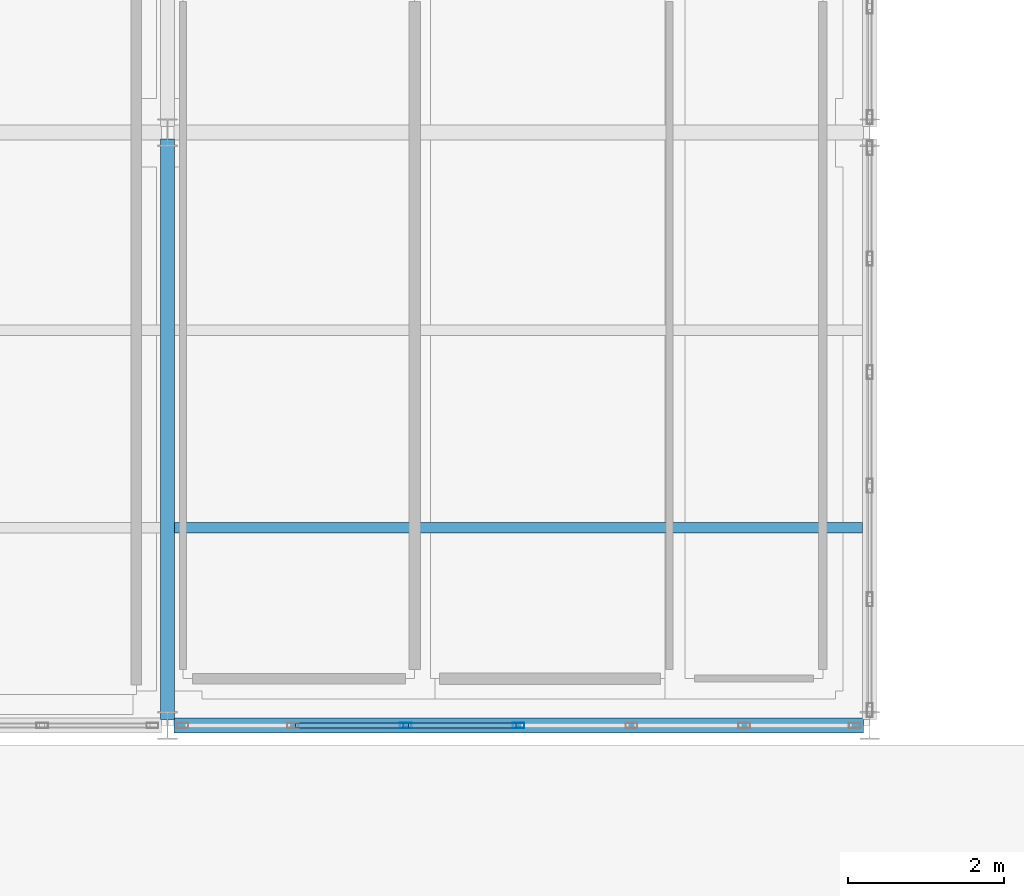
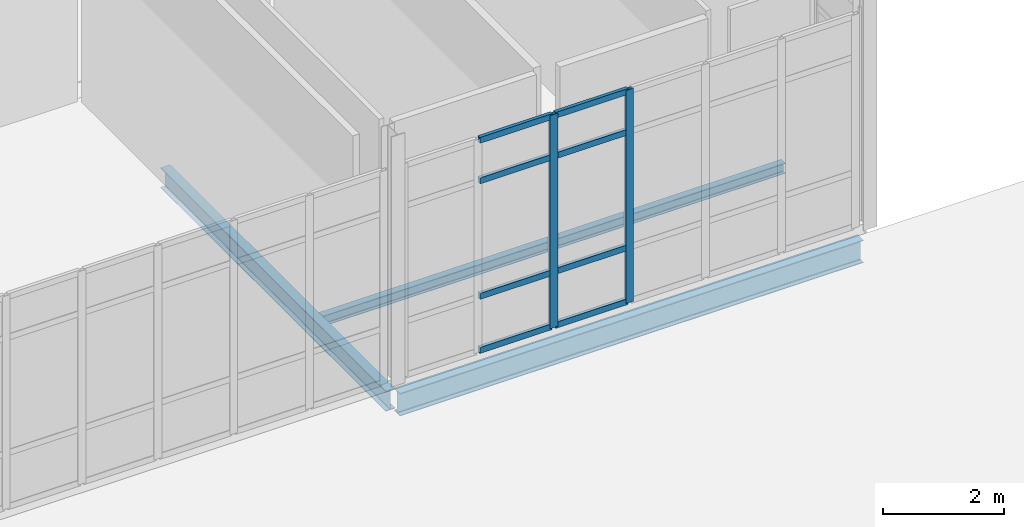
# One storey, part 67 of 161: 10 members, 3 beams, 1 element without a shape of its own.
"""IFC4 building model written with IfcOpenShell, lengths in metres."""

from ifc_helpers import new_model, si_unit, direction, frame, origin, origin_2d, place, context, subcontext, project, spatial, hollow_rectangle, i_section, extrude, material, material_profile, profile_set, type_object, element, aggregate, save


model = new_model("IFC4")

# Units and contexts
model_context = context("Model", 3, precision=1e-05, world=origin(), true_north=direction((0.0, 1.0)))
body_context = subcontext(model_context, "Body", "Model", "MODEL_VIEW")
ifc_project = project(units=[si_unit("LENGTHUNIT", "METRE"), si_unit("AREAUNIT", "SQUARE_METRE"), si_unit("VOLUMEUNIT", "CUBIC_METRE"), si_unit("PLANEANGLEUNIT", "RADIAN"), si_unit("MASSUNIT", "GRAM", prefix="KILO")], contexts=[model_context])

# Site, building, storey
site_placement = place(None, origin())
site = spatial("IfcSite", under=ifc_project, at=site_placement, CompositionType="ELEMENT")
building_placement = place(site_placement, origin())
building = spatial("IfcBuilding", under=site, at=building_placement, Name="Caisbarro Railhouse Central Library", CompositionType="ELEMENT")
storey_placement = place(building_placement, origin())
storey = spatial("IfcBuildingStorey", under=building, at=storey_placement, Name="L00", CompositionType="ELEMENT", Elevation=0.0)

# Beams
ifc_material_1 = material(Name="Steel ASTM A572 Grade 50", Category="steel")
ifc_material_profile_1 = material_profile(ifc_material_1, i_section(OverallWidth=0.177978515625, OverallDepth=0.406982421875, WebThickness=0.0078125, FlangeThickness=0.0126953125, FilletRadius=0.01611328125, at=origin_2d()), Name="W410X60.0")
ifc_profile_set_1 = profile_set([ifc_material_profile_1], Name="Steel ASTM A572 Grade 50")
beam_type_1 = type_object("IfcBeamType", Name="BM-G10", PredefinedType="BEAM", material=ifc_profile_set_1)
beam_1_placement = place(storey_placement, frame((27.0, 83.679931640625, -0.45361328125), z_axis=(0.0, 1.0, 0.0), x_axis=(-1.0, 0.0, 0.0)))
element("IfcBeam", 1, at=beam_1_placement, inside=storey, type_object=beam_type_1, Name="G10 beam L00 #413", PredefinedType="BEAM", context=body_context, shape_type="SweptSolid", body=[
    extrude(i_section(OverallWidth=0.177978515625, OverallDepth=0.406982421875, WebThickness=0.0078125, FlangeThickness=0.0126953125, FilletRadius=0.01611328125, at=origin_2d()), origin(), (0.0, 0.0, 1.0), 7.440185546875),
])
ifc_material_profile_2 = material_profile(ifc_material_1, i_section(OverallWidth=0.133056640625, OverallDepth=0.20703125, WebThickness=0.005859375, FlangeThickness=0.00830078125, FilletRadius=0.010009765625, at=origin_2d()), Name="W200X26.6")
ifc_profile_set_2 = profile_set([ifc_material_profile_2], Name="Steel ASTM A572 Grade 50")
beam_type_2 = type_object("IfcBeamType", Name="BM-J07", PredefinedType="JOIST", material=ifc_profile_set_2)
beam_2_placement = place(storey_placement, frame((27.089111328125, 86.13330078125, -0.353515625), z_axis=(1.0, 0.0, 0.0), x_axis=(0.0, 1.0, 0.0)))
element("IfcBeam", 2, at=beam_2_placement, inside=storey, type_object=beam_type_2, Name="J07 beam L00 #445", PredefinedType="JOIST", context=body_context, shape_type="SweptSolid", body=[
    extrude(i_section(OverallWidth=0.133056640625, OverallDepth=0.20703125, WebThickness=0.005859375, FlangeThickness=0.00830078125, FilletRadius=0.010009765625, at=origin_2d()), origin(), (0.0, 0.0, 1.0), 8.82177734375),
])
ifc_material_profile_3 = material_profile(ifc_material_1, i_section(OverallWidth=0.18994140625, OverallDepth=0.45703125, WebThickness=0.009033203125, FlangeThickness=0.014404296875, FilletRadius=0.01806640625, at=origin_2d()), Name="W460X74.0")
ifc_profile_set_3 = profile_set([ifc_material_profile_3], Name="Steel ASTM A572 Grade 50")
beam_type_3 = type_object("IfcBeamType", Name="BM-SP01", PredefinedType="SPANDREL", material=ifc_profile_set_3)
beam_3_placement = place(storey_placement, frame((27.080078125, 83.60009765625, -0.478515625), z_axis=(1.0, 0.0, 0.0), x_axis=(0.0, 1.0, 0.0)))
element("IfcBeam", 3, at=beam_3_placement, inside=storey, type_object=beam_type_3, Name="SP01 beam L00 #384", PredefinedType="SPANDREL", context=body_context, shape_type="SweptSolid", body=[
    extrude(i_section(OverallWidth=0.18994140625, OverallDepth=0.45703125, WebThickness=0.009033203125, FlangeThickness=0.014404296875, FilletRadius=0.01806640625, at=origin_2d()), origin(), (0.0, 0.0, 1.0), 8.83984375),
])

# Curtain wall, members
ifc_material_2 = material(Name="Anodised architectural aluminium", Category="aluminium")
curtain_wall_type = type_object("IfcCurtainWallType", Name="CW-CW01", PredefinedType="NOTDEFINED", material=ifc_material_2)
curtain_wall_placement = place(storey_placement, origin())
curtain_wall = element("IfcCurtainWall", 4, at=curtain_wall_placement, inside=storey, type_object=curtain_wall_type, Name="CW01 curtain wall L00 #75", PredefinedType="NOTDEFINED")
ifc_material_profile_4 = material_profile(ifc_material_2, hollow_rectangle(XDim=0.06494140625, YDim=0.14990234375, WallThickness=0.00390625, at=origin_2d()), Name="ALU-MUL-65X150")
ifc_profile_set_4 = profile_set([ifc_material_profile_4], Name="Anodised architectural aluminium")
member_type_1 = type_object("IfcMemberType", Name="CWM-M02", PredefinedType="MULLION", material=ifc_profile_set_4)
member_1_placement = place(storey_placement, frame((30.05322265625, 83.60009765625, 0.0), z_axis=(0.0, 0.0, 1.0), x_axis=(0.0, 1.0, 0.0)))
member_1 = element("IfcMember", 5, at=member_1_placement, type_object=member_type_1, Name="CW01 mullion 3", PredefinedType="MULLION", context=body_context, shape_type="SweptSolid", body=[
    extrude(hollow_rectangle(XDim=0.06494140625, YDim=0.14990234375, WallThickness=0.00390625, at=origin_2d()), origin(), (0.0, 0.0, 1.0), 4.300048828125),
])
member_2_placement = place(storey_placement, frame((31.5, 83.60009765625, 0.0), z_axis=(0.0, 0.0, 1.0), x_axis=(0.0, 1.0, 0.0)))
member_2 = element("IfcMember", 6, at=member_2_placement, type_object=member_type_1, Name="CW01 mullion 4", PredefinedType="MULLION", context=body_context, shape_type="SweptSolid", body=[
    extrude(hollow_rectangle(XDim=0.06494140625, YDim=0.14990234375, WallThickness=0.00390625, at=origin_2d()), origin(), (0.0, 0.0, 1.0), 4.300048828125),
])
ifc_material_profile_5 = material_profile(ifc_material_2, hollow_rectangle(XDim=0.06494140625, YDim=0.1201171875, WallThickness=0.00341796875, at=origin_2d()), Name="ALU-TRN-65X120")
ifc_profile_set_5 = profile_set([ifc_material_profile_5], Name="Anodised architectural aluminium")
member_type_2 = type_object("IfcMemberType", Name="CWT-T02", PredefinedType="USERDEFINED", material=ifc_profile_set_5)
member_3_placement = place(storey_placement, frame((28.63916015625, 83.60009765625, 0.032470703125), z_axis=(1.0, 0.0, 0.0), x_axis=(0.0, 1.0, 0.0)))
member_3 = element("IfcMember", 7, at=member_3_placement, type_object=member_type_2, Name="CW01 transom 2.1", ObjectType="TRANSOM", PredefinedType="USERDEFINED", context=body_context, shape_type="SweptSolid", body=[
    extrude(hollow_rectangle(XDim=0.06494140625, YDim=0.1201171875, WallThickness=0.00341796875, at=origin_2d()), origin(), (0.0, 0.0, 1.0), 1.381591796875),
])
member_4_placement = place(storey_placement, frame((28.63916015625, 83.60009765625, 1.1201171875), z_axis=(1.0, 0.0, 0.0), x_axis=(0.0, 1.0, 0.0)))
member_4 = element("IfcMember", 8, at=member_4_placement, type_object=member_type_2, Name="CW01 transom 2.2", ObjectType="TRANSOM", PredefinedType="USERDEFINED", context=body_context, shape_type="SweptSolid", body=[
    extrude(hollow_rectangle(XDim=0.06494140625, YDim=0.1201171875, WallThickness=0.00341796875, at=origin_2d()), origin(), (0.0, 0.0, 1.0), 1.381591796875),
])
member_5_placement = place(storey_placement, frame((28.63916015625, 83.60009765625, 3.449951171875), z_axis=(1.0, 0.0, 0.0), x_axis=(0.0, 1.0, 0.0)))
member_5 = element("IfcMember", 9, at=member_5_placement, type_object=member_type_2, Name="CW01 transom 2.3", ObjectType="TRANSOM", PredefinedType="USERDEFINED", context=body_context, shape_type="SweptSolid", body=[
    extrude(hollow_rectangle(XDim=0.06494140625, YDim=0.1201171875, WallThickness=0.00341796875, at=origin_2d()), origin(), (0.0, 0.0, 1.0), 1.381591796875),
])
member_6_placement = place(storey_placement, frame((28.63916015625, 83.60009765625, 4.267578125), z_axis=(1.0, 0.0, 0.0), x_axis=(0.0, 1.0, 0.0)))
member_6 = element("IfcMember", 10, at=member_6_placement, type_object=member_type_2, Name="CW01 transom 2.4", ObjectType="TRANSOM", PredefinedType="USERDEFINED", context=body_context, shape_type="SweptSolid", body=[
    extrude(hollow_rectangle(XDim=0.06494140625, YDim=0.1201171875, WallThickness=0.00341796875, at=origin_2d()), origin(), (0.0, 0.0, 1.0), 1.381591796875),
])
member_7_placement = place(storey_placement, frame((30.0859375, 83.60009765625, 0.032470703125), z_axis=(1.0, 0.0, 0.0), x_axis=(0.0, 1.0, 0.0)))
member_7 = element("IfcMember", 11, at=member_7_placement, type_object=member_type_2, Name="CW01 transom 3.1", ObjectType="TRANSOM", PredefinedType="USERDEFINED", context=body_context, shape_type="SweptSolid", body=[
    extrude(hollow_rectangle(XDim=0.06494140625, YDim=0.1201171875, WallThickness=0.00341796875, at=origin_2d()), origin(), (0.0, 0.0, 1.0), 1.381591796875),
])
member_8_placement = place(storey_placement, frame((30.0859375, 83.60009765625, 1.1201171875), z_axis=(1.0, 0.0, 0.0), x_axis=(0.0, 1.0, 0.0)))
member_8 = element("IfcMember", 12, at=member_8_placement, type_object=member_type_2, Name="CW01 transom 3.2", ObjectType="TRANSOM", PredefinedType="USERDEFINED", context=body_context, shape_type="SweptSolid", body=[
    extrude(hollow_rectangle(XDim=0.06494140625, YDim=0.1201171875, WallThickness=0.00341796875, at=origin_2d()), origin(), (0.0, 0.0, 1.0), 1.381591796875),
])
member_9_placement = place(storey_placement, frame((30.0859375, 83.60009765625, 3.449951171875), z_axis=(1.0, 0.0, 0.0), x_axis=(0.0, 1.0, 0.0)))
member_9 = element("IfcMember", 13, at=member_9_placement, type_object=member_type_2, Name="CW01 transom 3.3", ObjectType="TRANSOM", PredefinedType="USERDEFINED", context=body_context, shape_type="SweptSolid", body=[
    extrude(hollow_rectangle(XDim=0.06494140625, YDim=0.1201171875, WallThickness=0.00341796875, at=origin_2d()), origin(), (0.0, 0.0, 1.0), 1.381591796875),
])
member_10_placement = place(storey_placement, frame((30.0859375, 83.60009765625, 4.267578125), z_axis=(1.0, 0.0, 0.0), x_axis=(0.0, 1.0, 0.0)))
member_10 = element("IfcMember", 14, at=member_10_placement, type_object=member_type_2, Name="CW01 transom 3.4", ObjectType="TRANSOM", PredefinedType="USERDEFINED", context=body_context, shape_type="SweptSolid", body=[
    extrude(hollow_rectangle(XDim=0.06494140625, YDim=0.1201171875, WallThickness=0.00341796875, at=origin_2d()), origin(), (0.0, 0.0, 1.0), 1.381591796875),
])
aggregate(curtain_wall, [member_1, member_2, member_3, member_4, member_5, member_6, member_7, member_8, member_9, member_10])

save(model, "model.ifc")
